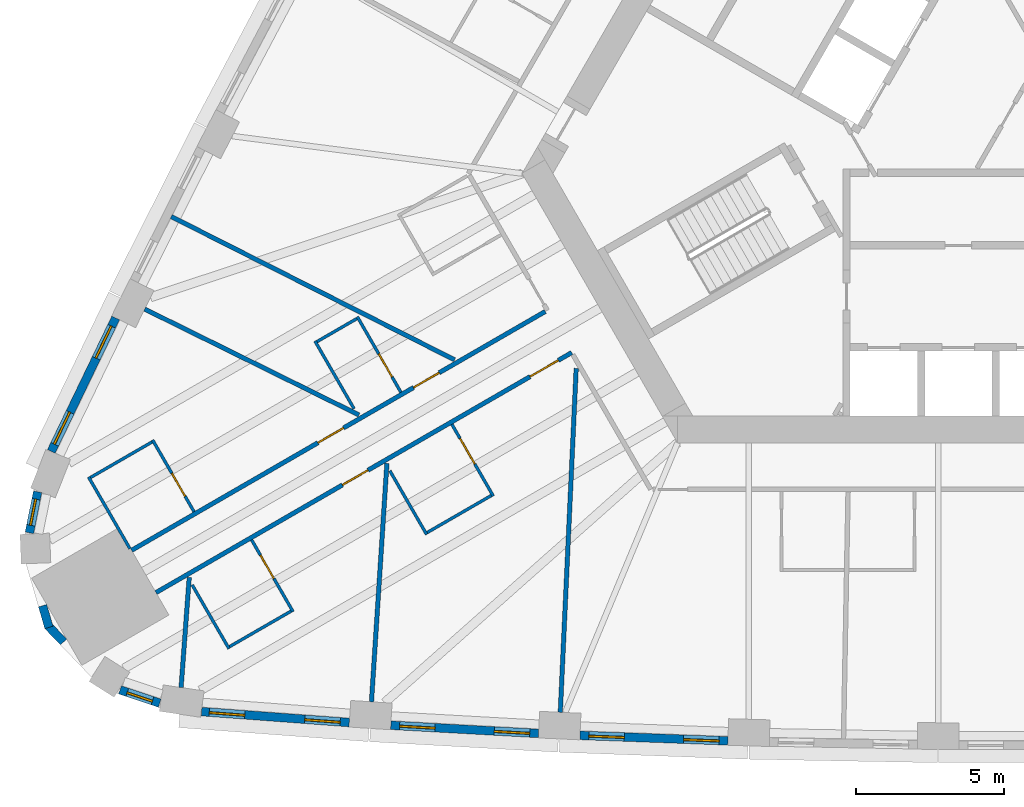
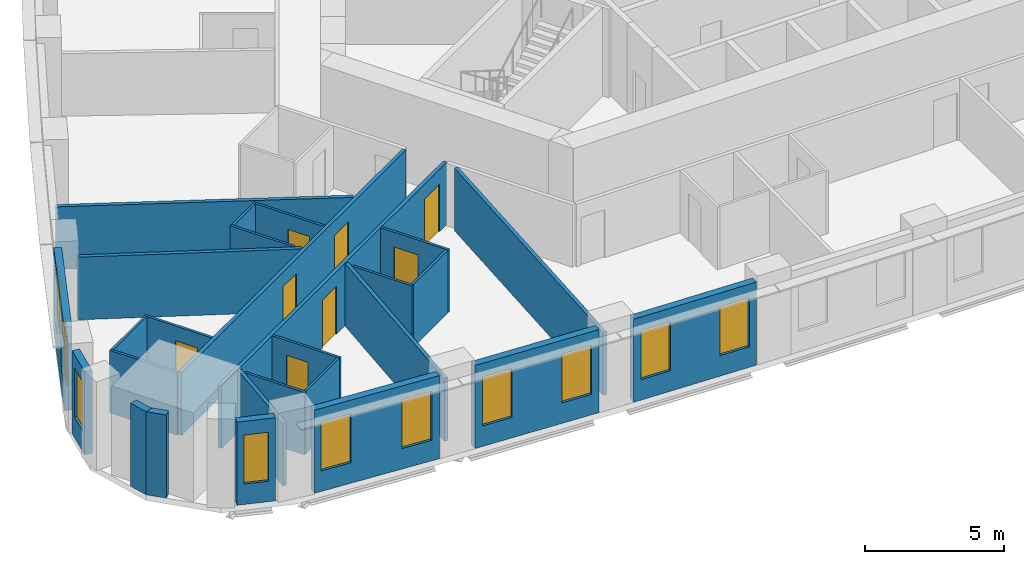
# One storey, part 3 of 13: 27 walls, 10 windows, 8 doors, 18 openings.
"""IFC4 building model written with IfcOpenShell, lengths in metres."""

from ifc_helpers import new_model, si_unit, direction, frame, frame_2d, origin, place, context, subcontext, project, spatial, rectangle, extrude, material, layer, layer_set, type_object, element, fill, save


model = new_model("IFC4")

# Units and contexts
model_context = context("Model", 3, precision=1e-05, world=origin(), true_north=direction((0.0, 1.0)))
body_context = subcontext(model_context, "Body", "Model", "MODEL_VIEW")
ifc_project = project(units=[si_unit("LENGTHUNIT", "METRE"), si_unit("AREAUNIT", "SQUARE_METRE"), si_unit("VOLUMEUNIT", "CUBIC_METRE"), si_unit("PLANEANGLEUNIT", "RADIAN"), si_unit("MASSUNIT", "GRAM", prefix="KILO")], contexts=[model_context])

# Site, building, storey
site_placement = place(None, origin())
site = spatial("IfcSite", under=ifc_project, at=site_placement, CompositionType="ELEMENT")
building_placement = place(site_placement, origin())
building = spatial("IfcBuilding", under=site, at=building_placement, Name="Mestral Congress Tower", CompositionType="ELEMENT")
storey_placement = place(building_placement, frame((0.0, 0.0, 51.0)))
storey = spatial("IfcBuildingStorey", under=building, at=storey_placement, Name="L11", CompositionType="ELEMENT", Elevation=51.0)

# Wall, openings, windows
ifc_material_1 = material(Name="Precast concrete C40/50 with limestone facing", Category="masonry")
ifc_layer_1 = layer(ifc_material_1, 0.2900390625)
ifc_layer_set_1 = layer_set([ifc_layer_1], Name="Precast concrete C40/50 with limestone facing")
wall_type_1 = type_object("IfcWallType", Name="Facade stone wall 290", PredefinedType="SOLIDWALL", material=ifc_layer_set_1)
wall_1_placement = place(storey_placement, frame((-28.097900390625, -22.086181640625, 0.0), z_axis=(0.0, 0.0, 1.0), x_axis=(0.997266290399, -0.073891447643, 0.0)))
wall_1 = element("IfcWall", 1, at=wall_1_placement, inside=storey, type_object=wall_type_1, Name="Facade wall F0-00", PredefinedType="SOLIDWALL", context=body_context, shape_type="SweptSolid", body=[
    extrude(rectangle(XDim=5.005615234375, YDim=0.2900390625, at=frame_2d((2.5029296875, 0.0))), origin(), (0.0, 0.0, 1.0), 3.64990234375),
])
opening_1_placement = place(wall_1_placement, frame((0.26513671875, 0.0, 0.89990234375)))
opening_1 = element("IfcOpeningElement", 2, at=opening_1_placement, cuts=wall_1, Name="Opening W1", PredefinedType="OPENING", context=body_context, shape_type="SweptSolid", body=[
    extrude(rectangle(XDim=1.199951171875, YDim=2.14990234375, at=frame_2d((0.60009765625, 1.074951171875))), frame((0.0, 0.155029296875, 0.0), z_axis=(0.0, -1.0, 0.0), x_axis=(1.0, 0.0, 0.0)), (0.0, 0.0, 1.0), 0.31005859375),
])
opening_2_placement = place(wall_1_placement, frame((3.49560546875, 0.0, 0.89990234375)))
opening_2 = element("IfcOpeningElement", 3, at=opening_2_placement, cuts=wall_1, Name="Opening W1", PredefinedType="OPENING", context=body_context, shape_type="SweptSolid", body=[
    extrude(rectangle(XDim=1.199951171875, YDim=2.14990234375, at=frame_2d((0.60009765625, 1.074951171875))), frame((0.0, 0.155029296875, 0.0), z_axis=(0.0, -1.0, 0.0), x_axis=(1.0, 0.0, 0.0)), (0.0, 0.0, 1.0), 0.31005859375),
])
ifc_material_2 = material(Name="Clear low-emissivity double glazing", Category="glass")
window_type_1 = type_object("IfcWindowType", Name="Facade punched window 1200 x 2150 sill 900", PartitioningType="DOUBLE_PANEL_VERTICAL", PredefinedType="WINDOW", material=ifc_material_2)
window_1_placement = place(opening_1_placement, origin())
window_1 = element("IfcWindow", 4, at=window_1_placement, inside=storey, type_object=window_type_1, Name="Window F0-00a", OverallHeight=2.14990234375, OverallWidth=1.199951171875, PartitioningType="DOUBLE_PANEL_VERTICAL", PredefinedType="WINDOW", context=body_context, shape_type="SweptSolid", body=[
    extrude(rectangle(XDim=1.199951171875, YDim=2.14990234375, at=frame_2d((0.60009765625, 1.074951171875))), frame((0.0, 0.01513671875, 0.0), z_axis=(0.0, -1.0, 0.0), x_axis=(1.0, 0.0, 0.0)), (0.0, 0.0, 1.0), 0.06005859375),
])
fill(opening_1, window_1)
window_2_placement = place(opening_2_placement, origin())
window_2 = element("IfcWindow", 5, at=window_2_placement, inside=storey, type_object=window_type_1, Name="Window F0-00b", OverallHeight=2.14990234375, OverallWidth=1.199951171875, PartitioningType="DOUBLE_PANEL_VERTICAL", PredefinedType="WINDOW", context=body_context, shape_type="SweptSolid", body=[
    extrude(rectangle(XDim=1.199951171875, YDim=2.14990234375, at=frame_2d((0.60009765625, 1.074951171875))), frame((0.0, 0.01513671875, 0.0), z_axis=(0.0, -1.0, 0.0), x_axis=(1.0, 0.0, 0.0)), (0.0, 0.0, 1.0), 0.06005859375),
])
fill(opening_2, window_2)

wall_2_placement = place(storey_placement, frame((-21.701416015625, -22.547119140625, 0.0), z_axis=(0.0, 0.0, 1.0), x_axis=(0.998464708705, -0.055391564976, 0.0)))
wall_2 = element("IfcWall", 6, at=wall_2_placement, inside=storey, type_object=wall_type_1, Name="Facade wall F0-01", PredefinedType="SOLIDWALL", context=body_context, shape_type="SweptSolid", body=[
    extrude(rectangle(XDim=4.998046875, YDim=0.2900390625, at=frame_2d((2.4990234375, 0.0))), origin(), (0.0, 0.0, 1.0), 3.64990234375),
])
opening_3_placement = place(wall_2_placement, frame((0.297119140625, 0.0, 0.89990234375)))
opening_3 = element("IfcOpeningElement", 7, at=opening_3_placement, cuts=wall_2, Name="Opening W1", PredefinedType="OPENING", context=body_context, shape_type="SweptSolid", body=[
    extrude(rectangle(XDim=1.199951171875, YDim=2.14990234375, at=frame_2d((0.60009765625, 1.074951171875))), frame((0.0, 0.155029296875, 0.0), z_axis=(0.0, -1.0, 0.0), x_axis=(1.0, 0.0, 0.0)), (0.0, 0.0, 1.0), 0.31005859375),
])
opening_4_placement = place(wall_2_placement, frame((3.501220703125, 0.0, 0.89990234375)))
opening_4 = element("IfcOpeningElement", 8, at=opening_4_placement, cuts=wall_2, Name="Opening W1", PredefinedType="OPENING", context=body_context, shape_type="SweptSolid", body=[
    extrude(rectangle(XDim=1.199951171875, YDim=2.14990234375, at=frame_2d((0.60009765625, 1.074951171875))), frame((0.0, 0.155029296875, 0.0), z_axis=(0.0, -1.0, 0.0), x_axis=(1.0, 0.0, 0.0)), (0.0, 0.0, 1.0), 0.31005859375),
])
window_3_placement = place(opening_3_placement, origin())
window_3 = element("IfcWindow", 9, at=window_3_placement, inside=storey, type_object=window_type_1, Name="Window F0-01a", OverallHeight=2.14990234375, OverallWidth=1.199951171875, PartitioningType="DOUBLE_PANEL_VERTICAL", PredefinedType="WINDOW", context=body_context, shape_type="SweptSolid", body=[
    extrude(rectangle(XDim=1.199951171875, YDim=2.14990234375, at=frame_2d((0.60009765625, 1.074951171875))), frame((0.0, 0.01513671875, 0.0), z_axis=(0.0, -1.0, 0.0), x_axis=(1.0, 0.0, 0.0)), (0.0, 0.0, 1.0), 0.06005859375),
])
fill(opening_3, window_3)
window_4_placement = place(opening_4_placement, origin())
window_4 = element("IfcWindow", 10, at=window_4_placement, inside=storey, type_object=window_type_1, Name="Window F0-01b", OverallHeight=2.14990234375, OverallWidth=1.199951171875, PartitioningType="DOUBLE_PANEL_VERTICAL", PredefinedType="WINDOW", context=body_context, shape_type="SweptSolid", body=[
    extrude(rectangle(XDim=1.199951171875, YDim=2.14990234375, at=frame_2d((0.60009765625, 1.074951171875))), frame((0.0, 0.01513671875, 0.0), z_axis=(0.0, -1.0, 0.0), x_axis=(1.0, 0.0, 0.0)), (0.0, 0.0, 1.0), 0.06005859375),
])
fill(opening_4, window_4)

wall_3_placement = place(storey_placement, frame((-15.30517578125, -22.88916015625, 0.0), z_axis=(0.0, 0.0, 1.0), x_axis=(0.999317974969, -0.036926750529, 0.0)))
wall_3 = element("IfcWall", 11, at=wall_3_placement, inside=storey, type_object=wall_type_1, Name="Facade wall F0-02", PredefinedType="SOLIDWALL", context=body_context, shape_type="SweptSolid", body=[
    extrude(rectangle(XDim=4.998291015625, YDim=0.2900390625, at=frame_2d((2.4990234375, 0.0))), origin(), (0.0, 0.0, 1.0), 3.64990234375),
])
opening_5_placement = place(wall_3_placement, frame((0.297119140625, 0.0, 0.89990234375)))
opening_5 = element("IfcOpeningElement", 12, at=opening_5_placement, cuts=wall_3, Name="Opening W1", PredefinedType="OPENING", context=body_context, shape_type="SweptSolid", body=[
    extrude(rectangle(XDim=1.199951171875, YDim=2.14990234375, at=frame_2d((0.60009765625, 1.074951171875))), frame((0.0, 0.155029296875, 0.0), z_axis=(0.0, -1.0, 0.0), x_axis=(1.0, 0.0, 0.0)), (0.0, 0.0, 1.0), 0.31005859375),
])
opening_6_placement = place(wall_3_placement, frame((3.501220703125, 0.0, 0.89990234375)))
opening_6 = element("IfcOpeningElement", 13, at=opening_6_placement, cuts=wall_3, Name="Opening W1", PredefinedType="OPENING", context=body_context, shape_type="SweptSolid", body=[
    extrude(rectangle(XDim=1.199951171875, YDim=2.14990234375, at=frame_2d((0.60009765625, 1.074951171875))), frame((0.0, 0.155029296875, 0.0), z_axis=(0.0, -1.0, 0.0), x_axis=(1.0, 0.0, 0.0)), (0.0, 0.0, 1.0), 0.31005859375),
])
window_5_placement = place(opening_5_placement, origin())
window_5 = element("IfcWindow", 14, at=window_5_placement, inside=storey, type_object=window_type_1, Name="Window F0-02a", OverallHeight=2.14990234375, OverallWidth=1.199951171875, PartitioningType="DOUBLE_PANEL_VERTICAL", PredefinedType="WINDOW", context=body_context, shape_type="SweptSolid", body=[
    extrude(rectangle(XDim=1.199951171875, YDim=2.14990234375, at=frame_2d((0.60009765625, 1.074951171875))), frame((0.0, 0.01513671875, 0.0), z_axis=(0.0, -1.0, 0.0), x_axis=(1.0, 0.0, 0.0)), (0.0, 0.0, 1.0), 0.06005859375),
])
fill(opening_5, window_5)
window_6_placement = place(opening_6_placement, origin())
window_6 = element("IfcWindow", 15, at=window_6_placement, inside=storey, type_object=window_type_1, Name="Window F0-02b", OverallHeight=2.14990234375, OverallWidth=1.199951171875, PartitioningType="DOUBLE_PANEL_VERTICAL", PredefinedType="WINDOW", context=body_context, shape_type="SweptSolid", body=[
    extrude(rectangle(XDim=1.199951171875, YDim=2.14990234375, at=frame_2d((0.60009765625, 1.074951171875))), frame((0.0, 0.01513671875, 0.0), z_axis=(0.0, -1.0, 0.0), x_axis=(1.0, 0.0, 0.0)), (0.0, 0.0, 1.0), 0.06005859375),
])
fill(opening_6, window_6)

wall_4_placement = place(storey_placement, frame((-31.000244140625, -8.7822265625, 0.0), z_axis=(0.0, 0.0, 1.0), x_axis=(-0.434664499056, -0.900592456808, 0.0)))
wall_4 = element("IfcWall", 16, at=wall_4_placement, inside=storey, type_object=wall_type_1, Name="Facade wall F2-08", PredefinedType="SOLIDWALL", context=body_context, shape_type="SweptSolid", body=[
    extrude(rectangle(XDim=5.005615234375, YDim=0.2900390625, at=frame_2d((2.5029296875, 0.0))), origin(), (0.0, 0.0, 1.0), 3.64990234375),
])
opening_7_placement = place(wall_4_placement, frame((0.310302734375, 0.0, 0.89990234375)))
opening_7 = element("IfcOpeningElement", 17, at=opening_7_placement, cuts=wall_4, Name="Opening W1", PredefinedType="OPENING", context=body_context, shape_type="SweptSolid", body=[
    extrude(rectangle(XDim=1.199951171875, YDim=2.14990234375, at=frame_2d((0.60009765625, 1.074951171875))), frame((0.0, 0.155029296875, 0.0), z_axis=(0.0, -1.0, 0.0), x_axis=(1.0, 0.0, 0.0)), (0.0, 0.0, 1.0), 0.31005859375),
])
opening_8_placement = place(wall_4_placement, frame((3.54052734375, 0.0, 0.89990234375)))
opening_8 = element("IfcOpeningElement", 18, at=opening_8_placement, cuts=wall_4, Name="Opening W1", PredefinedType="OPENING", context=body_context, shape_type="SweptSolid", body=[
    extrude(rectangle(XDim=1.199951171875, YDim=2.14990234375, at=frame_2d((0.60009765625, 1.074951171875))), frame((0.0, 0.155029296875, 0.0), z_axis=(0.0, -1.0, 0.0), x_axis=(1.0, 0.0, 0.0)), (0.0, 0.0, 1.0), 0.31005859375),
])
window_7_placement = place(opening_7_placement, origin())
window_7 = element("IfcWindow", 19, at=window_7_placement, inside=storey, type_object=window_type_1, Name="Window F2-08a", OverallHeight=2.14990234375, OverallWidth=1.199951171875, PartitioningType="DOUBLE_PANEL_VERTICAL", PredefinedType="WINDOW", context=body_context, shape_type="SweptSolid", body=[
    extrude(rectangle(XDim=1.199951171875, YDim=2.14990234375, at=frame_2d((0.60009765625, 1.074951171875))), frame((0.0, 0.01513671875, 0.0), z_axis=(0.0, -1.0, 0.0), x_axis=(1.0, 0.0, 0.0)), (0.0, 0.0, 1.0), 0.06005859375),
])
fill(opening_7, window_7)
window_8_placement = place(opening_8_placement, origin())
window_8 = element("IfcWindow", 20, at=window_8_placement, inside=storey, type_object=window_type_1, Name="Window F2-08b", OverallHeight=2.14990234375, OverallWidth=1.199951171875, PartitioningType="DOUBLE_PANEL_VERTICAL", PredefinedType="WINDOW", context=body_context, shape_type="SweptSolid", body=[
    extrude(rectangle(XDim=1.199951171875, YDim=2.14990234375, at=frame_2d((0.60009765625, 1.074951171875))), frame((0.0, 0.01513671875, 0.0), z_axis=(0.0, -1.0, 0.0), x_axis=(1.0, 0.0, 0.0)), (0.0, 0.0, 1.0), 0.06005859375),
])
fill(opening_8, window_8)

# Wall, opening, window
wall_5_placement = place(storey_placement, frame((-33.63720703125, -14.656982421875, 0.0), z_axis=(0.0, 0.0, 1.0), x_axis=(-0.198106888228, -0.980180422594, 0.0)))
wall_5 = element("IfcWall", 21, at=wall_5_placement, inside=storey, type_object=wall_type_1, Name="Facade wall K2-0", PredefinedType="SOLIDWALL", context=body_context, shape_type="SweptSolid", body=[
    extrude(rectangle(XDim=1.414794921875, YDim=0.2900390625, at=frame_2d((0.70751953125, 0.0))), origin(), (0.0, 0.0, 1.0), 3.64990234375),
])
opening_9_placement = place(wall_5_placement, frame((0.25732421875, 0.0, 0.89990234375)))
opening_9 = element("IfcOpeningElement", 22, at=opening_9_placement, cuts=wall_5, Name="Opening W3", PredefinedType="OPENING", context=body_context, shape_type="SweptSolid", body=[
    extrude(rectangle(XDim=0.89990234375, YDim=2.14990234375, at=frame_2d((0.449951171875, 1.074951171875))), frame((0.0, 0.155029296875, 0.0), z_axis=(0.0, -1.0, 0.0), x_axis=(1.0, 0.0, 0.0)), (0.0, 0.0, 1.0), 0.31005859375),
])
window_type_2 = type_object("IfcWindowType", Name="Facade punched window 900 x 2150 sill 900", PartitioningType="SINGLE_PANEL", PredefinedType="WINDOW", material=ifc_material_2)
window_9_placement = place(opening_9_placement, origin())
window_9 = element("IfcWindow", 23, at=window_9_placement, inside=storey, type_object=window_type_2, Name="Window K2-0", OverallHeight=2.14990234375, OverallWidth=0.89990234375, PartitioningType="SINGLE_PANEL", PredefinedType="WINDOW", context=body_context, shape_type="SweptSolid", body=[
    extrude(rectangle(XDim=0.89990234375, YDim=2.14990234375, at=frame_2d((0.449951171875, 1.074951171875))), frame((0.0, 0.01513671875, 0.0), z_axis=(0.0, -1.0, 0.0), x_axis=(1.0, 0.0, 0.0)), (0.0, 0.0, 1.0), 0.06005859375),
])
fill(opening_9, window_9)

# Walls
for number, where, z_axis, x_axis, name in (
    (24, (-33.4697265625, -18.507080078125, 0.0), (0.0, 0.0, 1.0), (0.278981320915, -0.960296528464, 0.0), "Facade wall K2-1"),
    (25, (-33.291259765625, -19.180908203125, 0.0), (0.0, 0.0, 1.0), (0.692252359589, -0.721655506903, 0.0), "Facade wall K2-2"),
):
    element("IfcWall", number, at=place(storey_placement, frame(where, z_axis=z_axis, x_axis=x_axis)), inside=storey, type_object=wall_type_1, Name=name, PredefinedType="SOLIDWALL", context=body_context, shape_type="SweptSolid", body=[
        extrude(rectangle(XDim=0.763916015625, YDim=0.2900390625, at=frame_2d((0.3818359375, 0.0))), origin(), (0.0, 0.0, 1.0), 3.64990234375),
    ])

# Wall, opening, window
wall_6_placement = place(storey_placement, frame((-30.852783203125, -21.3515625, 0.0), z_axis=(0.0, 0.0, 1.0), x_axis=(0.947903891592, -0.318556450734, 0.0)))
wall_6 = element("IfcWall", 26, at=wall_6_placement, inside=storey, type_object=wall_type_1, Name="Facade wall K2-3", PredefinedType="SOLIDWALL", context=body_context, shape_type="SweptSolid", body=[
    extrude(rectangle(XDim=1.414794921875, YDim=0.2900390625, at=frame_2d((0.70751953125, 0.0))), origin(), (0.0, 0.0, 1.0), 3.64990234375),
])
opening_10_placement = place(wall_6_placement, frame((0.25732421875, 0.0, 0.89990234375)))
opening_10 = element("IfcOpeningElement", 27, at=opening_10_placement, cuts=wall_6, Name="Opening W3", PredefinedType="OPENING", context=body_context, shape_type="SweptSolid", body=[
    extrude(rectangle(XDim=0.89990234375, YDim=2.14990234375, at=frame_2d((0.449951171875, 1.074951171875))), frame((0.0, 0.155029296875, 0.0), z_axis=(0.0, -1.0, 0.0), x_axis=(1.0, 0.0, 0.0)), (0.0, 0.0, 1.0), 0.31005859375),
])
window_10_placement = place(opening_10_placement, origin())
window_10 = element("IfcWindow", 28, at=window_10_placement, inside=storey, type_object=window_type_2, Name="Window K2-3", OverallHeight=2.14990234375, OverallWidth=0.89990234375, PartitioningType="SINGLE_PANEL", PredefinedType="WINDOW", context=body_context, shape_type="SweptSolid", body=[
    extrude(rectangle(XDim=0.89990234375, YDim=2.14990234375, at=frame_2d((0.449951171875, 1.074951171875))), frame((0.0, 0.01513671875, 0.0), z_axis=(0.0, -1.0, 0.0), x_axis=(1.0, 0.0, 0.0)), (0.0, 0.0, 1.0), 0.06005859375),
])
fill(opening_10, window_10)

# Wall, opening, door
ifc_material_3 = material(Name="Gypsum board partition on metal studs with mineral wool", Category="composite")
ifc_layer_2 = layer(ifc_material_3, 0.10009765625)
ifc_layer_set_2 = layer_set([ifc_layer_2], Name="Gypsum board partition on metal studs with mineral wool")
wall_type_2 = type_object("IfcWallType", Name="Hotel partition wall 100", PredefinedType="PARTITIONING", material=ifc_layer_set_2)
wall_7_placement = place(storey_placement, frame((-25.0048828125, -18.708984375, 0.0), z_axis=(0.0, 0.0, 1.0), x_axis=(-0.49998411664, 0.866034573852, 0.0)))
wall_7 = element("IfcWall", 29, at=wall_7_placement, inside=storey, type_object=wall_type_2, Name="L11-h-pod01a", PredefinedType="PARTITIONING", context=body_context, shape_type="SweptSolid", body=[
    extrude(rectangle(XDim=2.7998046875, YDim=0.10009765625, at=frame_2d((1.39990234375, 0.0))), origin(), (0.0, 0.0, 1.0), 2.75),
])
opening_11_placement = place(wall_7_placement, frame((1.300048828125, 0.0, 0.0)))
opening_11 = element("IfcOpeningElement", 30, at=opening_11_placement, cuts=wall_7, Name="Opening H03-002", PredefinedType="OPENING", context=body_context, shape_type="SweptSolid", body=[
    extrude(rectangle(XDim=0.89990234375, YDim=2.10009765625, at=frame_2d((0.449951171875, 1.050048828125))), frame((0.0, 0.06005859375, 0.0), z_axis=(0.0, -1.0, 0.0), x_axis=(1.0, 0.0, 0.0)), (0.0, 0.0, 1.0), 0.1201171875),
])
ifc_material_4 = material(Name="Timber veneer door leaf in timber frame", Category="wood")
door_type_1 = type_object("IfcDoorType", Name="Bathroom door 900", OperationType="SINGLE_SWING_LEFT", PredefinedType="DOOR", material=ifc_material_4)
door_1_placement = place(opening_11_placement, origin())
door_1 = element("IfcDoor", 31, at=door_1_placement, inside=storey, type_object=door_type_1, Name="L11-h-d002", OperationType="SINGLE_SWING_LEFT", OverallHeight=2.10009765625, OverallWidth=0.89990234375, PredefinedType="DOOR", context=body_context, shape_type="SweptSolid", body=[
    extrude(rectangle(XDim=0.89990234375, YDim=2.10009765625, at=frame_2d((0.449951171875, 1.050048828125))), frame((0.0, 0.02490234375, 0.0), z_axis=(0.0, -1.0, 0.0), x_axis=(1.0, 0.0, 0.0)), (0.0, 0.0, 1.0), 0.050048828125),
])
fill(opening_11, door_1)

# Walls
wall_8_placement = place(storey_placement, frame((-25.072998046875, -18.690673828125, 0.0), z_axis=(0.0, 0.0, 1.0), x_axis=(-0.866050077142, -0.499957262057, 0.0)))
element("IfcWall", 32, at=wall_8_placement, inside=storey, type_object=wall_type_2, Name="L11-h-pod01b", PredefinedType="PARTITIONING", context=body_context, shape_type="SweptSolid", body=[
    extrude(rectangle(XDim=2.400146484375, YDim=0.10009765625, at=frame_2d((1.2001953125, 0.0))), origin(), (0.0, 0.0, 1.0), 2.75),
])
wall_9_placement = place(storey_placement, frame((-28.414794921875, -17.802490234375, 0.0), z_axis=(0.0, 0.0, 1.0), x_axis=(0.499945955465, -0.866056604163, 0.0)))
element("IfcWall", 33, at=wall_9_placement, inside=storey, type_object=wall_type_2, Name="L11-h-pod01c", PredefinedType="PARTITIONING", context=body_context, shape_type="SweptSolid", body=[
    extrude(rectangle(XDim=2.489990234375, YDim=0.10009765625, at=frame_2d((1.2451171875, 0.0))), origin(), (0.0, 0.0, 1.0), 2.75),
])

# Wall, opening, door
wall_10_placement = place(storey_placement, frame((-18.2373046875, -14.8017578125, 0.0), z_axis=(0.0, 0.0, 1.0), x_axis=(-0.49994636267, 0.866056369097, 0.0)))
wall_10 = element("IfcWall", 34, at=wall_10_placement, inside=storey, type_object=wall_type_2, Name="L11-h-pod02a", PredefinedType="PARTITIONING", context=body_context, shape_type="SweptSolid", body=[
    extrude(rectangle(XDim=2.800048828125, YDim=0.10009765625, at=frame_2d((1.39990234375, 0.0))), origin(), (0.0, 0.0, 1.0), 2.75),
])
opening_12_placement = place(wall_10_placement, frame((1.25, 0.0, 0.0)))
opening_12 = element("IfcOpeningElement", 35, at=opening_12_placement, cuts=wall_10, Name="Opening H03-004", PredefinedType="OPENING", context=body_context, shape_type="SweptSolid", body=[
    extrude(rectangle(XDim=1.0, YDim=2.10009765625, at=frame_2d((0.5, 1.050048828125))), frame((0.0, 0.06005859375, 0.0), z_axis=(0.0, -1.0, 0.0), x_axis=(1.0, 0.0, 0.0)), (0.0, 0.0, 1.0), 0.1201171875),
])
door_type_2 = type_object("IfcDoorType", Name="Accessible bathroom door 1000", OperationType="SINGLE_SWING_LEFT", PredefinedType="DOOR", material=ifc_material_4)
door_2_placement = place(opening_12_placement, origin())
door_2 = element("IfcDoor", 36, at=door_2_placement, inside=storey, type_object=door_type_2, Name="L11-h-d004", OperationType="SINGLE_SWING_LEFT", OverallHeight=2.10009765625, OverallWidth=1.0, PredefinedType="DOOR", context=body_context, shape_type="SweptSolid", body=[
    extrude(rectangle(XDim=1.0, YDim=2.10009765625, at=frame_2d((0.5, 1.050048828125))), frame((0.0, 0.02490234375, 0.0), z_axis=(0.0, -1.0, 0.0), x_axis=(1.0, 0.0, 0.0)), (0.0, 0.0, 1.0), 0.050048828125),
])
fill(opening_12, door_2)

# Walls
wall_11_placement = place(storey_placement, frame((-18.305419921875, -14.783447265625, 0.0), z_axis=(0.0, 0.0, 1.0), x_axis=(-0.866047370643, -0.499961950354, 0.0)))
element("IfcWall", 37, at=wall_11_placement, inside=storey, type_object=wall_type_2, Name="L11-h-pod02b", PredefinedType="PARTITIONING", context=body_context, shape_type="SweptSolid", body=[
    extrude(rectangle(XDim=2.500244140625, YDim=0.10009765625, at=frame_2d((1.25, 0.0))), origin(), (0.0, 0.0, 1.0), 2.75),
])
wall_12_placement = place(storey_placement, frame((-21.73388671875, -13.9453125, 0.0), z_axis=(0.0, 0.0, 1.0), x_axis=(0.499945955465, -0.866056604163, 0.0)))
element("IfcWall", 38, at=wall_12_placement, inside=storey, type_object=wall_type_2, Name="L11-h-pod02c", PredefinedType="PARTITIONING", context=body_context, shape_type="SweptSolid", body=[
    extrude(rectangle(XDim=2.489990234375, YDim=0.10009765625, at=frame_2d((1.2451171875, 0.0))), origin(), (0.0, 0.0, 1.0), 2.75),
])

# Wall, opening, door
wall_13_placement = place(storey_placement, frame((-21.360107421875, -11.29296875, 0.0), z_axis=(0.0, 0.0, 1.0), x_axis=(-0.49997559174, 0.866039495442, 0.0)))
wall_13 = element("IfcWall", 39, at=wall_13_placement, inside=storey, type_object=wall_type_2, Name="L11-h-pod25a", PredefinedType="PARTITIONING", context=body_context, shape_type="SweptSolid", body=[
    extrude(rectangle(XDim=2.949951171875, YDim=0.10009765625, at=frame_2d((1.47509765625, 0.0))), origin(), (0.0, 0.0, 1.0), 2.75),
])
opening_13_placement = place(wall_13_placement, frame((0.60009765625, 0.0, 0.0)))
opening_13 = element("IfcOpeningElement", 40, at=opening_13_placement, cuts=wall_13, Name="Opening H03-048", PredefinedType="OPENING", context=body_context, shape_type="SweptSolid", body=[
    extrude(rectangle(XDim=0.89990234375, YDim=2.10009765625, at=frame_2d((0.449951171875, 1.050048828125))), frame((0.0, 0.06005859375, 0.0), z_axis=(0.0, -1.0, 0.0), x_axis=(1.0, 0.0, 0.0)), (0.0, 0.0, 1.0), 0.1201171875),
])
door_3_placement = place(opening_13_placement, origin())
door_3 = element("IfcDoor", 41, at=door_3_placement, inside=storey, type_object=door_type_1, Name="L11-h-d048", OperationType="SINGLE_SWING_LEFT", OverallHeight=2.10009765625, OverallWidth=0.89990234375, PredefinedType="DOOR", context=body_context, shape_type="SweptSolid", body=[
    extrude(rectangle(XDim=0.89990234375, YDim=2.10009765625, at=frame_2d((0.449951171875, 1.050048828125))), frame((0.0, 0.02490234375, 0.0), z_axis=(0.0, -1.0, 0.0), x_axis=(1.0, 0.0, 0.0)), (0.0, 0.0, 1.0), 0.050048828125),
])
fill(opening_13, door_3)

# Walls
wall_14_placement = place(storey_placement, frame((-22.853271484375, -8.806396484375, 0.0), z_axis=(0.0, 0.0, 1.0), x_axis=(-0.86601511528, -0.500017819788, 0.0)))
element("IfcWall", 42, at=wall_14_placement, inside=storey, type_object=wall_type_2, Name="L11-h-pod25b", PredefinedType="PARTITIONING", context=body_context, shape_type="SweptSolid", body=[
    extrude(rectangle(XDim=1.55029296875, YDim=0.10009765625, at=frame_2d((0.775146484375, 0.0))), origin(), (0.0, 0.0, 1.0), 2.75),
])
wall_15_placement = place(storey_placement, frame((-22.944091796875, -11.849609375, 0.0), z_axis=(0.0, 0.0, 1.0), x_axis=(-0.499938597367, 0.866060851709, 0.0)))
element("IfcWall", 43, at=wall_15_placement, inside=storey, type_object=wall_type_2, Name="L11-h-pod25c", PredefinedType="PARTITIONING", context=body_context, shape_type="SweptSolid", body=[
    extrude(rectangle(XDim=2.639892578125, YDim=0.10009765625, at=frame_2d((1.31982421875, 0.0))), origin(), (0.0, 0.0, 1.0), 2.75),
])

# Wall, opening, door
wall_16_placement = place(storey_placement, frame((-28.352294921875, -15.330078125, 0.0), z_axis=(0.0, 0.0, 1.0), x_axis=(-0.500049511043, 0.865996816683, 0.0)))
wall_16 = element("IfcWall", 44, at=wall_16_placement, inside=storey, type_object=wall_type_2, Name="L11-h-pod26a", PredefinedType="PARTITIONING", context=body_context, shape_type="SweptSolid", body=[
    extrude(rectangle(XDim=2.800048828125, YDim=0.10009765625, at=frame_2d((1.39990234375, 0.0))), origin(), (0.0, 0.0, 1.0), 2.75),
])
opening_14_placement = place(wall_16_placement, frame((0.60009765625, 0.0, 0.0)))
opening_14 = element("IfcOpeningElement", 45, at=opening_14_placement, cuts=wall_16, Name="Opening H03-050", PredefinedType="OPENING", context=body_context, shape_type="SweptSolid", body=[
    extrude(rectangle(XDim=0.89990234375, YDim=2.10009765625, at=frame_2d((0.449951171875, 1.050048828125))), frame((0.0, 0.06005859375, 0.0), z_axis=(0.0, -1.0, 0.0), x_axis=(1.0, 0.0, 0.0)), (0.0, 0.0, 1.0), 0.1201171875),
])
door_4_placement = place(opening_14_placement, origin())
door_4 = element("IfcDoor", 46, at=door_4_placement, inside=storey, type_object=door_type_1, Name="L11-h-d050", OperationType="SINGLE_SWING_LEFT", OverallHeight=2.10009765625, OverallWidth=0.89990234375, PredefinedType="DOOR", context=body_context, shape_type="SweptSolid", body=[
    extrude(rectangle(XDim=0.89990234375, YDim=2.10009765625, at=frame_2d((0.449951171875, 1.050048828125))), frame((0.0, 0.02490234375, 0.0), z_axis=(0.0, -1.0, 0.0), x_axis=(1.0, 0.0, 0.0)), (0.0, 0.0, 1.0), 0.050048828125),
])
fill(opening_14, door_4)

# Walls
wall_17_placement = place(storey_placement, frame((-29.770751953125, -12.973388671875, 0.0), z_axis=(0.0, 0.0, 1.0), x_axis=(-0.865980596518, -0.500077600433, 0.0)))
element("IfcWall", 47, at=wall_17_placement, inside=storey, type_object=wall_type_2, Name="L11-h-pod26b", PredefinedType="PARTITIONING", context=body_context, shape_type="SweptSolid", body=[
    extrude(rectangle(XDim=2.39990234375, YDim=0.10009765625, at=frame_2d((1.199951171875, 0.0))), origin(), (0.0, 0.0, 1.0), 2.75),
])
wall_18_placement = place(storey_placement, frame((-30.517578125, -16.580078125, 0.0), z_axis=(0.0, 0.0, 1.0), x_axis=(-0.49998411664, 0.866034573852, 0.0)))
element("IfcWall", 48, at=wall_18_placement, inside=storey, type_object=wall_type_2, Name="L11-h-pod26c", PredefinedType="PARTITIONING", context=body_context, shape_type="SweptSolid", body=[
    extrude(rectangle(XDim=2.7998046875, YDim=0.10009765625, at=frame_2d((1.39990234375, 0.0))), origin(), (0.0, 0.0, 1.0), 2.75),
])

# Wall, openings, doors
ifc_layer_3 = layer(ifc_material_3, 0.14990234375)
ifc_layer_set_3 = layer_set([ifc_layer_3], Name="Gypsum board partition on metal studs with mineral wool")
wall_type_3 = type_object("IfcWallType", Name="Hotel partition wall 150", PredefinedType="PARTITIONING", material=ifc_layer_set_3)
wall_19_placement = place(storey_placement, frame((-30.462646484375, -16.635009765625, 0.0), z_axis=(0.0, 0.0, 1.0), x_axis=(0.866022394896, 0.500005211512, 0.0)))
wall_19 = element("IfcWall", 49, at=wall_19_placement, inside=storey, type_object=wall_type_3, Name="L11-h-cw10", PredefinedType="PARTITIONING", context=body_context, shape_type="SweptSolid", body=[
    extrude(rectangle(XDim=16.143798828125, YDim=0.14990234375, at=frame_2d((8.07177734375, 0.0))), origin(), (0.0, 0.0, 1.0), 2.75),
])
opening_15_placement = place(wall_19_placement, frame((11.004150390625, 0.0, 0.0)))
opening_15 = element("IfcOpeningElement", 50, at=opening_15_placement, cuts=wall_19, Name="Opening H03-047", PredefinedType="OPENING", context=body_context, shape_type="SweptSolid", body=[
    extrude(rectangle(XDim=1.0, YDim=2.10009765625, at=frame_2d((0.5, 1.050048828125))), frame((0.0, 0.0849609375, 0.0), z_axis=(0.0, -1.0, 0.0), x_axis=(1.0, 0.0, 0.0)), (0.0, 0.0, 1.0), 0.169921875),
])
opening_16_placement = place(wall_19_placement, frame((7.273681640625, 0.0, 0.0)))
opening_16 = element("IfcOpeningElement", 51, at=opening_16_placement, cuts=wall_19, Name="Opening H03-049", PredefinedType="OPENING", context=body_context, shape_type="SweptSolid", body=[
    extrude(rectangle(XDim=1.0, YDim=2.10009765625, at=frame_2d((0.5, 1.050048828125))), frame((0.0, 0.0849609375, 0.0), z_axis=(0.0, -1.0, 0.0), x_axis=(1.0, 0.0, 0.0)), (0.0, 0.0, 1.0), 0.169921875),
])
ifc_material_5 = material(Name="Timber veneer door leaf in metal frame", Category="wood")
door_type_3 = type_object("IfcDoorType", Name="Guest room entrance door 1000", OperationType="SINGLE_SWING_LEFT", PredefinedType="DOOR", material=ifc_material_5)
door_5_placement = place(opening_15_placement, origin())
door_5 = element("IfcDoor", 52, at=door_5_placement, inside=storey, type_object=door_type_3, Name="L11-h-d047", OperationType="SINGLE_SWING_RIGHT", OverallHeight=2.10009765625, OverallWidth=1.0, PredefinedType="DOOR", context=body_context, shape_type="SweptSolid", body=[
    extrude(rectangle(XDim=1.0, YDim=2.10009765625, at=frame_2d((0.5, 1.050048828125))), frame((0.0, 0.02490234375, 0.0), z_axis=(0.0, -1.0, 0.0), x_axis=(1.0, 0.0, 0.0)), (0.0, 0.0, 1.0), 0.050048828125),
])
fill(opening_15, door_5)
door_6_placement = place(opening_16_placement, origin())
door_6 = element("IfcDoor", 53, at=door_6_placement, inside=storey, type_object=door_type_3, Name="L11-h-d049", OperationType="SINGLE_SWING_RIGHT", OverallHeight=2.10009765625, OverallWidth=1.0, PredefinedType="DOOR", context=body_context, shape_type="SweptSolid", body=[
    extrude(rectangle(XDim=1.0, YDim=2.10009765625, at=frame_2d((0.5, 1.050048828125))), frame((0.0, 0.02490234375, 0.0), z_axis=(0.0, -1.0, 0.0), x_axis=(1.0, 0.0, 0.0)), (0.0, 0.0, 1.0), 0.050048828125),
])
fill(opening_16, door_6)

wall_20_placement = place(storey_placement, frame((-15.58740234375, -9.951904296875, 0.0), z_axis=(0.0, 0.0, 1.0), x_axis=(-0.866022197818, -0.500005552856, 0.0)))
wall_20 = element("IfcWall", 54, at=wall_20_placement, inside=storey, type_object=wall_type_3, Name="L11-h-cw11", PredefinedType="PARTITIONING", context=body_context, shape_type="SweptSolid", body=[
    extrude(rectangle(XDim=16.223876953125, YDim=0.14990234375, at=frame_2d((8.11181640625, 0.0))), origin(), (0.0, 0.0, 1.0), 2.75),
])
opening_17_placement = place(wall_20_placement, frame((7.948974609375, 0.0, 0.0)))
opening_17 = element("IfcOpeningElement", 55, at=opening_17_placement, cuts=wall_20, Name="Opening H03-001", PredefinedType="OPENING", context=body_context, shape_type="SweptSolid", body=[
    extrude(rectangle(XDim=1.0, YDim=2.10009765625, at=frame_2d((0.5, 1.050048828125))), frame((0.0, 0.0849609375, 0.0), z_axis=(0.0, -1.0, 0.0), x_axis=(1.0, 0.0, 0.0)), (0.0, 0.0, 1.0), 0.169921875),
])
opening_18_placement = place(wall_20_placement, frame((0.525146484375, 0.0, 0.0)))
opening_18 = element("IfcOpeningElement", 56, at=opening_18_placement, cuts=wall_20, Name="Opening H03-003", PredefinedType="OPENING", context=body_context, shape_type="SweptSolid", body=[
    extrude(rectangle(XDim=1.10009765625, YDim=2.10009765625, at=frame_2d((0.550048828125, 1.050048828125))), frame((0.0, 0.0849609375, 0.0), z_axis=(0.0, -1.0, 0.0), x_axis=(1.0, 0.0, 0.0)), (0.0, 0.0, 1.0), 0.169921875),
])
door_type_4 = type_object("IfcDoorType", Name="Accessible room entrance door 1100", OperationType="SINGLE_SWING_LEFT", PredefinedType="DOOR", material=ifc_material_5)
door_7_placement = place(opening_18_placement, origin())
door_7 = element("IfcDoor", 57, at=door_7_placement, inside=storey, type_object=door_type_4, Name="L11-h-d003", OperationType="SINGLE_SWING_LEFT", OverallHeight=2.10009765625, OverallWidth=1.10009765625, PredefinedType="DOOR", context=body_context, shape_type="SweptSolid", body=[
    extrude(rectangle(XDim=1.10009765625, YDim=2.10009765625, at=frame_2d((0.550048828125, 1.050048828125))), frame((0.0, 0.02490234375, 0.0), z_axis=(0.0, -1.0, 0.0), x_axis=(1.0, 0.0, 0.0)), (0.0, 0.0, 1.0), 0.050048828125),
])
fill(opening_18, door_7)
door_8_placement = place(opening_17_placement, origin())
door_8 = element("IfcDoor", 58, at=door_8_placement, inside=storey, type_object=door_type_3, Name="L11-h-d001", OperationType="SINGLE_SWING_LEFT", OverallHeight=2.10009765625, OverallWidth=1.0, PredefinedType="DOOR", context=body_context, shape_type="SweptSolid", body=[
    extrude(rectangle(XDim=1.0, YDim=2.10009765625, at=frame_2d((0.5, 1.050048828125))), frame((0.0, 0.02490234375, 0.0), z_axis=(0.0, -1.0, 0.0), x_axis=(1.0, 0.0, 0.0)), (0.0, 0.0, 1.0), 0.050048828125),
])
fill(opening_17, door_8)

# Walls
wall_21_placement = place(storey_placement, frame((-28.78955078125, -21.272705078125, 0.0), z_axis=(0.0, 0.0, 1.0), x_axis=(0.07382592098, 0.997271143366, 0.0)))
element("IfcWall", 59, at=wall_21_placement, inside=storey, type_object=wall_type_3, Name="L11-h-pw01", PredefinedType="PARTITIONING", context=body_context, shape_type="SweptSolid", body=[
    extrude(rectangle(XDim=3.733642578125, YDim=0.14990234375, at=frame_2d((1.86669921875, 0.0))), origin(), (0.0, 0.0, 1.0), 2.75),
])
for number, where, z_axis, x_axis, name in (
    (60, (-30.017578125, -8.48291015625, 0.0), (0.0, 0.0, 1.0), (0.896544505264, -0.44295366584, 0.0), "L11-h-pw02"),
    (61, (-22.355224609375, -21.75439453125, 0.0), (0.0, 0.0, 1.0), (0.064639533143, 0.997908678565, 0.0), "L11-h-pw03"),
):
    element("IfcWall", number, at=place(storey_placement, frame(where, z_axis=z_axis, x_axis=x_axis)), inside=storey, type_object=wall_type_3, Name=name, PredefinedType="PARTITIONING", context=body_context, shape_type="SweptSolid", body=[
        extrude(rectangle(XDim=8.078857421875, YDim=0.14990234375, at=frame_2d((4.03955078125, 0.0))), origin(), (0.0, 0.0, 1.0), 2.75),
    ])
wall_22_placement = place(storey_placement, frame((-29.119873046875, -5.355712890625, 0.0), z_axis=(0.0, 0.0, 1.0), x_axis=(0.892401965553, -0.451241323327, 0.0)))
element("IfcWall", 62, at=wall_22_placement, inside=storey, type_object=wall_type_3, Name="L11-h-pw04", PredefinedType="PARTITIONING", context=body_context, shape_type="SweptSolid", body=[
    extrude(rectangle(XDim=10.728759765625, YDim=0.14990234375, at=frame_2d((5.3642578125, 0.0))), origin(), (0.0, 0.0, 1.0), 2.75),
])
wall_23_placement = place(storey_placement, frame((-15.973388671875, -22.10888671875, 0.0), z_axis=(0.0, 0.0, 1.0), x_axis=(0.046191717129, 0.998932592955, 0.0)))
element("IfcWall", 63, at=wall_23_placement, inside=storey, type_object=wall_type_3, Name="L11-h-pw06", PredefinedType="PARTITIONING", context=body_context, shape_type="SweptSolid", body=[
    extrude(rectangle(XDim=11.638427734375, YDim=0.14990234375, at=frame_2d((5.8193359375, 0.0))), origin(), (0.0, 0.0, 1.0), 2.75),
])

save(model, "model.ifc")
